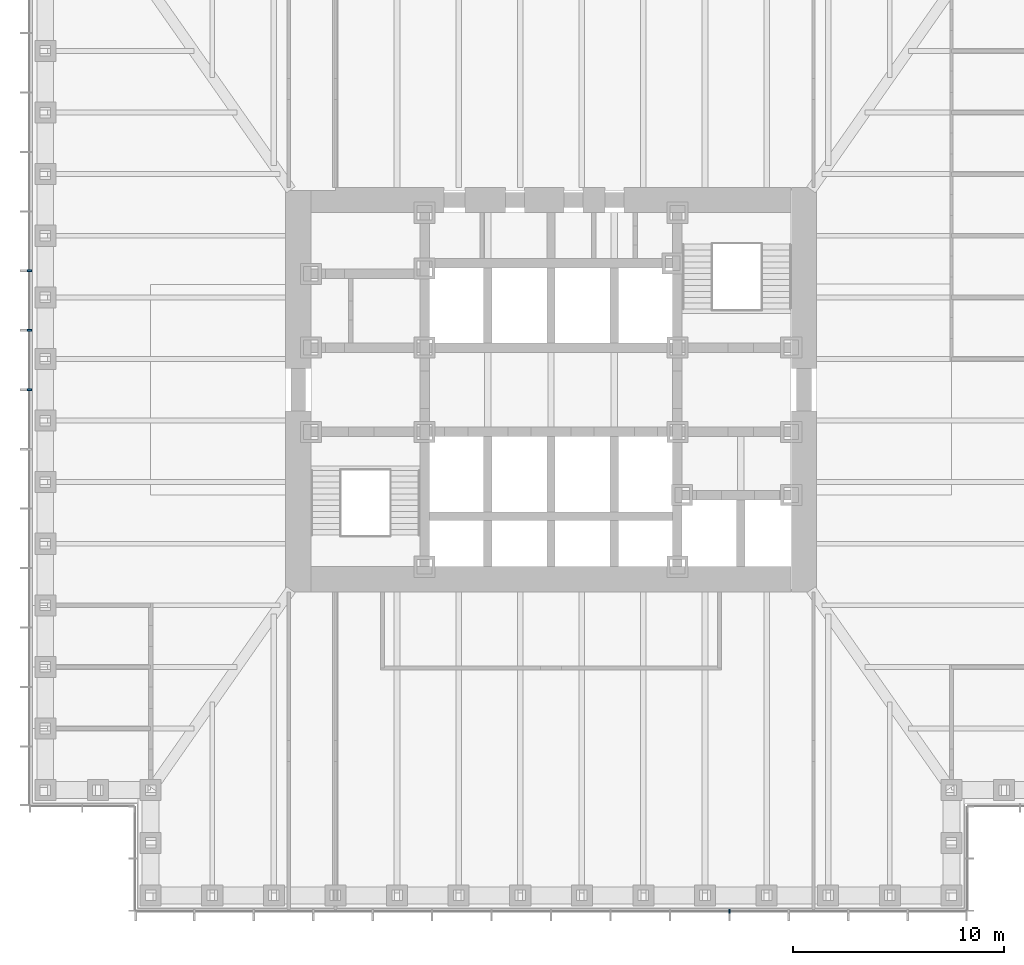
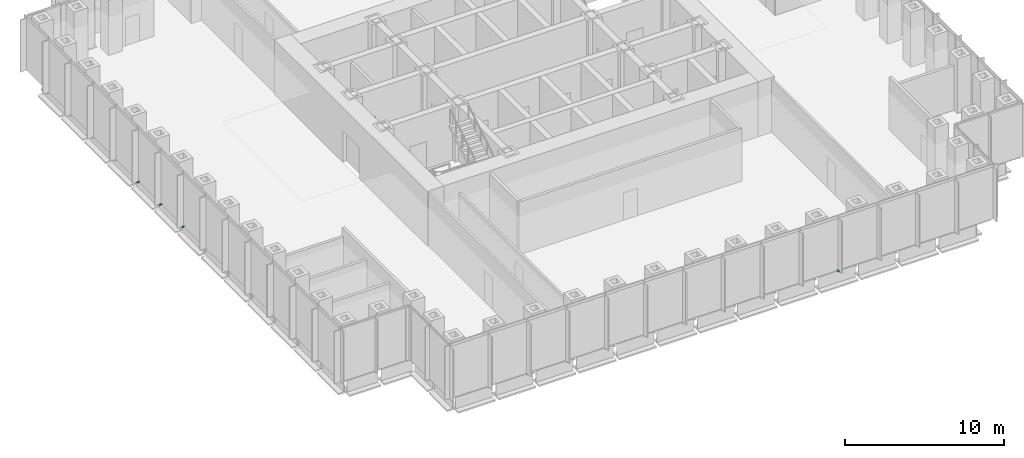
# One storey, part 12 of 16: 4 discrete accessories.
"""IFC4 building model written with IfcOpenShell, lengths in metres."""

from ifc_helpers import new_model, si_unit, direction, frame, origin, origin_2d, place, context, subcontext, project, spatial, rectangle, extrude, element, save


model = new_model("IFC4")

# Units and contexts
model_context = context("Model", 3, precision=1e-05, world=origin(), true_north=direction((0.0, 1.0)))
body_context = subcontext(model_context, "Body", "Model", "MODEL_VIEW")
ifc_project = project(units=[si_unit("LENGTHUNIT", "METRE"), si_unit("AREAUNIT", "SQUARE_METRE"), si_unit("VOLUMEUNIT", "CUBIC_METRE"), si_unit("PLANEANGLEUNIT", "RADIAN"), si_unit("MASSUNIT", "GRAM", prefix="KILO")], contexts=[model_context])

# Site, building, storey
site_placement = place(None, origin())
site = spatial("IfcSite", under=ifc_project, at=site_placement, CompositionType="ELEMENT")
building_placement = place(site_placement, origin())
building = spatial("IfcBuilding", under=site, at=building_placement, Name="Daluyong Arena Tower", CompositionType="ELEMENT")
storey_placement = place(building_placement, frame((0.0, 0.0, 51.699951171875)))
storey = spatial("IfcBuildingStorey", under=building, at=storey_placement, Name="L10", CompositionType="ELEMENT", Elevation=51.699951171875)

# Discrete accessories
for number, where, z_axis, x_axis, name in (
    (1, (64.46435546875, 55.25, -0.10009765625), (0.0, 0.0, 1.0), (1.0, 0.0, 0.0), "curtain wall L10 S anchor bracket 11"),
    (2, (31.25, 85.642822265625, -0.10009765625), (0.0, 0.0, 1.0), (0.0, -1.0, 0.0), "curtain wall L10 W anchor bracket 6"),
    (3, (31.25, 82.821533203125, -0.10009765625), (0.0, 0.0, 1.0), (0.0, -1.0, 0.0), "curtain wall L10 W anchor bracket 7"),
    (4, (31.25, 80.0, -0.10009765625), (0.0, 0.0, 1.0), (0.0, -1.0, 0.0), "curtain wall L10 W anchor bracket 8"),
):
    element("IfcDiscreteAccessory", number, at=place(storey_placement, frame(where, z_axis=z_axis, x_axis=x_axis)), inside=storey, Name=name, PredefinedType="BRACKET", context=body_context, shape_type="SweptSolid", body=[
        extrude(rectangle(XDim=0.080078125, YDim=0.199951171875, at=origin_2d()), origin(), (0.0, 0.0, 1.0), 0.10009765625),
    ])

save(model, "model.ifc")
